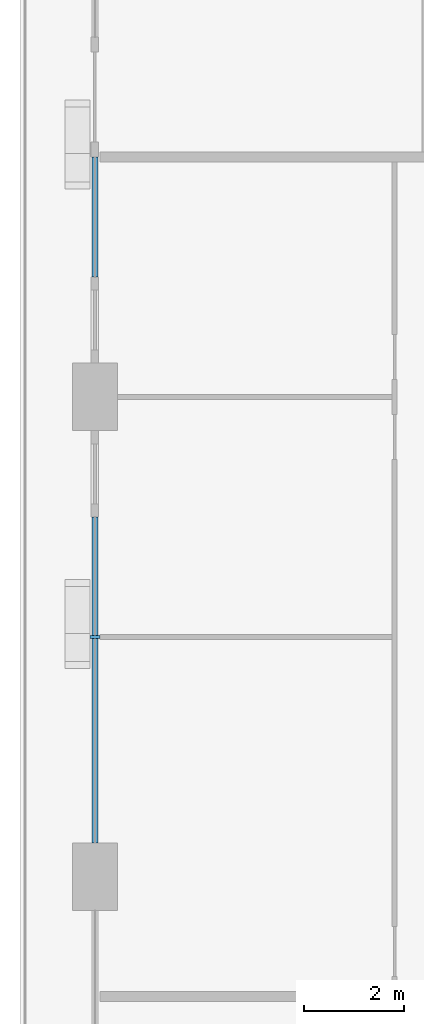
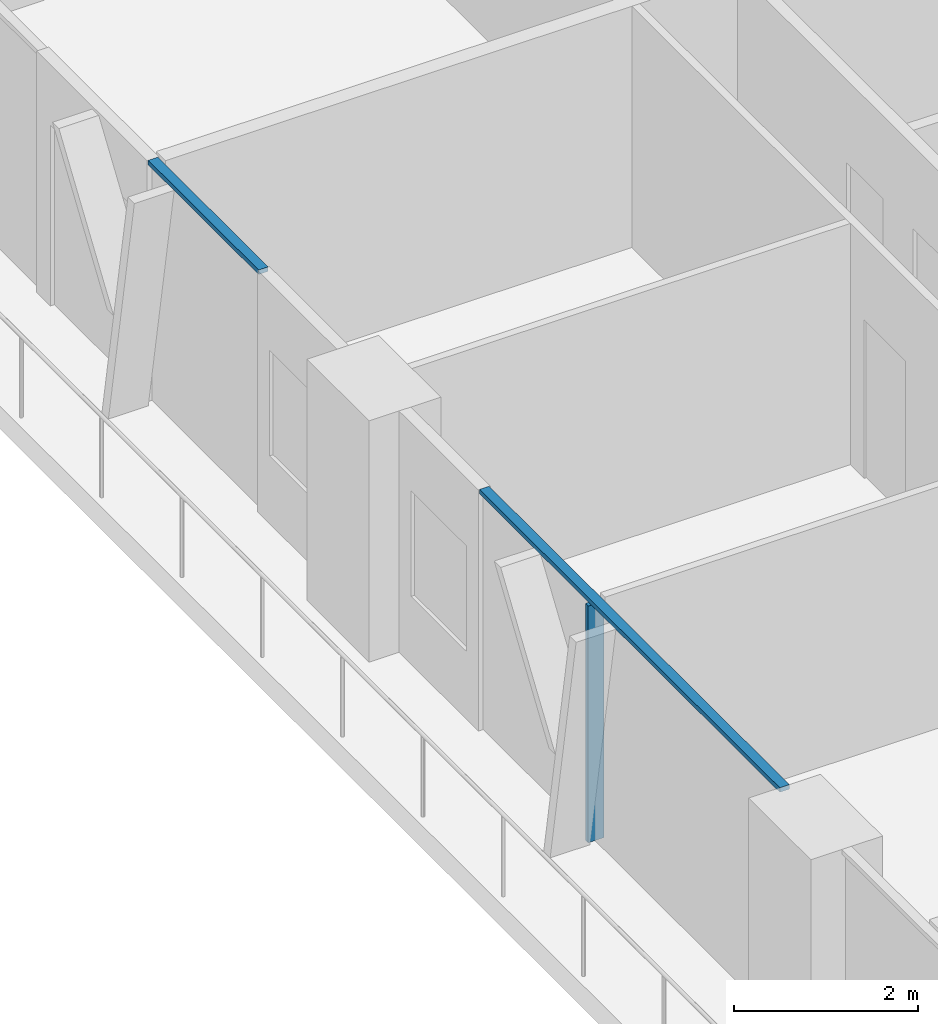
# One storey, part 3 of 21: 3 members, 2 elements without a shape of their own.
"""IFC4 building model written with IfcOpenShell, lengths in metres."""

from ifc_helpers import new_model, si_unit, direction, frame, origin, origin_2d, place, context, subcontext, project, spatial, rectangle, extrude, material, layer, layer_set, material_profile, profile_set, type_object, element, aggregate, save


model = new_model("IFC4")

# Units and contexts
model_context = context("Model", 3, precision=1e-05, world=origin(), true_north=direction((0.0, 1.0)))
body_context = subcontext(model_context, "Body", "Model", "MODEL_VIEW")
ifc_project = project(units=[si_unit("LENGTHUNIT", "METRE"), si_unit("AREAUNIT", "SQUARE_METRE"), si_unit("VOLUMEUNIT", "CUBIC_METRE"), si_unit("PLANEANGLEUNIT", "RADIAN"), si_unit("MASSUNIT", "GRAM", prefix="KILO")], contexts=[model_context])

# Site, building, storey
site_placement = place(None, origin())
site = spatial("IfcSite", under=ifc_project, at=site_placement, CompositionType="ELEMENT")
building_placement = place(site_placement, origin())
building = spatial("IfcBuilding", under=site, at=building_placement, Name="Madar Terraces", CompositionType="ELEMENT")
storey_placement = place(building_placement, frame((0.0, 0.0, 29.39990234375)))
storey = spatial("IfcBuildingStorey", under=building, at=storey_placement, Name="L06", CompositionType="ELEMENT", Elevation=29.39990234375)

# Curtain wall, member
ifc_material_1 = material(Name="Glass, ceramic frit dark grey, with black aluminium frame", Category="aluminium")
ifc_layer = layer(ifc_material_1, 0.199951171875)
ifc_layer_set = layer_set([ifc_layer], Name="Facade curtain wall, fritted glass")
curtain_wall_type = type_object("IfcCurtainWallType", Name="Facade curtain wall, fritted glass", PredefinedType="NOTDEFINED", material=ifc_layer_set)
curtain_wall_1_placement = place(storey_placement, origin())
curtain_wall_1 = element("IfcCurtainWall", 1, at=curtain_wall_1_placement, inside=storey, type_object=curtain_wall_type, Name="Outer skin curtain wall west bay 3", PredefinedType="NOTDEFINED")
ifc_material_2 = material(Name="Aluminium, black anodised", Category="aluminium")
ifc_material_profile_1 = material_profile(ifc_material_2, rectangle(XDim=0.199951171875, YDim=0.06005859375, at=origin_2d()), Name="Facade mullion 60x200")
ifc_profile_set_1 = profile_set([ifc_material_profile_1], Name="Aluminium, black anodised")
member_type_1 = type_object("IfcMemberType", Name="Facade mullion 60x200", PredefinedType="MULLION", material=ifc_profile_set_1)
member_1_placement = place(storey_placement, frame((0.0, 19.199951171875, 0.0), z_axis=(0.0, 0.0, 1.0), x_axis=(1.0, 0.0, 0.0)))
member_1 = element("IfcMember", 2, at=member_1_placement, type_object=member_type_1, Name="Mullion 1", PredefinedType="MULLION", context=body_context, shape_type="SweptSolid", body=[
    extrude(rectangle(XDim=0.199951171875, YDim=0.06005859375, at=origin_2d()), origin(), (0.0, 0.0, 1.0), 3.14013671875),
])

curtain_wall_2_placement = place(storey_placement, origin())
curtain_wall_2 = element("IfcCurtainWall", 3, at=curtain_wall_2_placement, inside=storey, type_object=curtain_wall_type, Name="Outer skin curtain wall west bay 2", PredefinedType="NOTDEFINED")
ifc_material_3 = material(Name="Aluminium, black anodised", Category="aluminium")
ifc_material_profile_2 = material_profile(ifc_material_3, rectangle(XDim=0.1201171875, YDim=0.06005859375, at=origin_2d()), Name="Facade transom 60x120")
ifc_profile_set_2 = profile_set([ifc_material_profile_2], Name="Aluminium, black anodised")
member_type_2 = type_object("IfcMemberType", Name="Facade transom 60x120", PredefinedType="USERDEFINED", material=ifc_profile_set_2)
member_2_placement = place(storey_placement, frame((0.0, 28.800048828125, 3.170166015625), z_axis=(0.0, -1.0, 0.0), x_axis=(1.0, 0.0, 0.0)))
member_2 = element("IfcMember", 4, at=member_2_placement, type_object=member_type_2, Name="Transom 2", ObjectType="TRANSOM", PredefinedType="USERDEFINED", context=body_context, shape_type="SweptSolid", body=[
    extrude(rectangle(XDim=0.1201171875, YDim=0.06005859375, at=origin_2d()), origin(), (0.0, 0.0, 1.0), 2.400146484375),
])
aggregate(curtain_wall_2, [member_2])

# Member
member_3_placement = place(storey_placement, frame((0.0, 21.60009765625, 3.170166015625), z_axis=(0.0, -1.0, 0.0), x_axis=(1.0, 0.0, 0.0)))
member_3 = element("IfcMember", 5, at=member_3_placement, type_object=member_type_2, Name="Transom 1", ObjectType="TRANSOM", PredefinedType="USERDEFINED", context=body_context, shape_type="SweptSolid", body=[
    extrude(rectangle(XDim=0.1201171875, YDim=0.06005859375, at=origin_2d()), origin(), (0.0, 0.0, 1.0), 6.525146484375),
])

aggregate(curtain_wall_1, [member_1, member_3])

save(model, "model.ifc")
